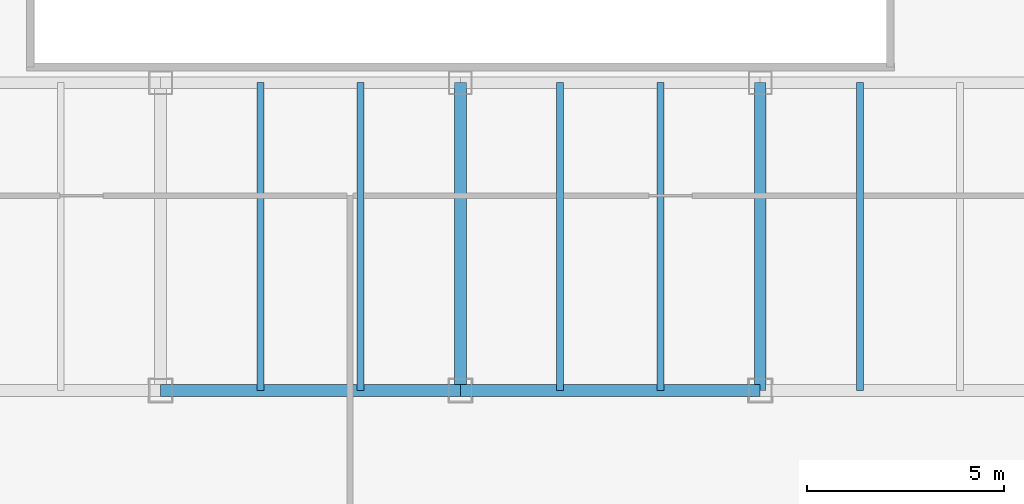
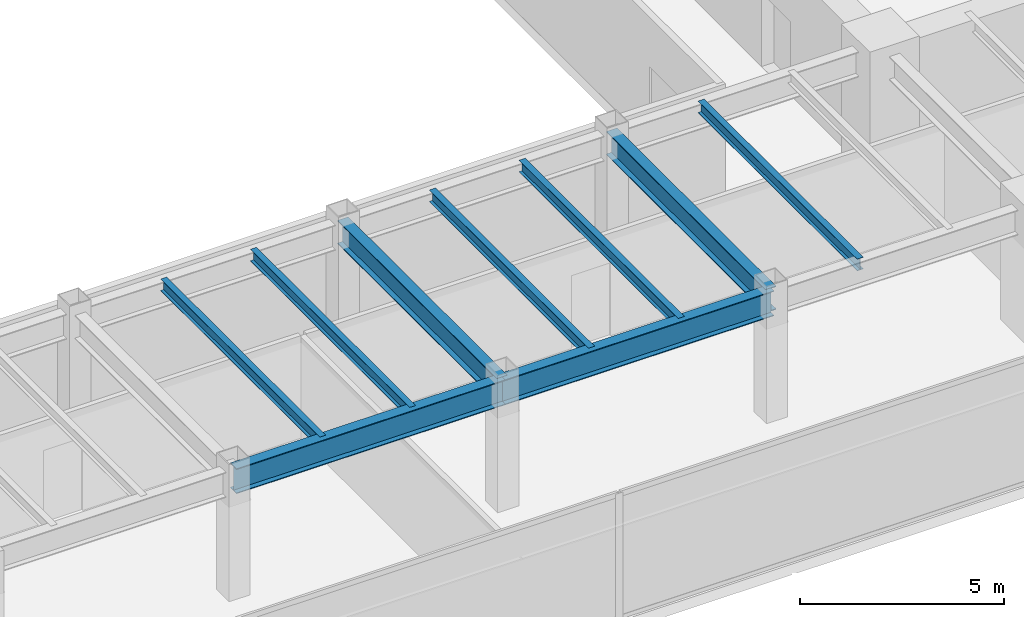
# One storey, part 9 of 32: 9 beams.
"""IFC4 building model written with IfcOpenShell, lengths in metres."""

from ifc_helpers import new_model, si_unit, direction, frame, origin, origin_2d, place, context, subcontext, project, spatial, i_section, extrude, source, transform, mapped, material, material_profile, profile_set, type_object, type_shapes, element, save


model = new_model("IFC4")

# Units and contexts
model_context = context("Model", 3, precision=1e-05, world=origin(), true_north=direction((0.0, 1.0)))
body_context = subcontext(model_context, "Body", "Model", "MODEL_VIEW")
ifc_project = project(units=[si_unit("LENGTHUNIT", "METRE"), si_unit("AREAUNIT", "SQUARE_METRE"), si_unit("VOLUMEUNIT", "CUBIC_METRE"), si_unit("PLANEANGLEUNIT", "RADIAN"), si_unit("MASSUNIT", "GRAM", prefix="KILO")], contexts=[model_context])

# Site, building, storey
site_placement = place(None, origin())
site = spatial("IfcSite", under=ifc_project, at=site_placement, CompositionType="ELEMENT")
building_placement = place(site_placement, origin())
building = spatial("IfcBuilding", under=site, at=building_placement, Name="Haelvirn Gate Laboratories", CompositionType="ELEMENT")
storey_placement = place(building_placement, frame((0.0, 0.0, 33.39990234375)))
storey = spatial("IfcBuildingStorey", under=building, at=storey_placement, Name="L08", CompositionType="ELEMENT", Elevation=33.39990234375)

# Beams
ifc_material = material(Name="Steel SM355", Category="steel")
ifc_material_profile_1 = material_profile(ifc_material, i_section(OverallWidth=0.300048828125, OverallDepth=0.699951171875, WebThickness=0.012939453125, FlangeThickness=0.02392578125, at=origin_2d()), Name="H-700x300x13x24")
ifc_profile_set_1 = profile_set([ifc_material_profile_1], Name="Steel SM355")
beam_type_1 = type_object("IfcBeamType", Name="BM-G-700", PredefinedType="BEAM", material=ifc_profile_set_1)
shared_shape_1 = source(origin(), body_context, "Body", "SweptSolid", [
    extrude(i_section(OverallWidth=0.300048828125, OverallDepth=0.699951171875, WebThickness=0.012939453125, FlangeThickness=0.02392578125, at=origin_2d()), origin(), (0.0, 0.0, 1.0), 7.800048828125),
])
type_shapes(beam_type_1, [shared_shape_1])
for number, where, z_axis, x_axis, name in (
    (1, (37.39990234375, 7.0, 3.43017578125), (0.0, 1.0, 0.0), (-1.0, 0.0, 0.0), "L08 Frame Girder X37.4 (7.0-14.8)"),
    (2, (45.0, 7.0, 3.43017578125), (0.0, 1.0, 0.0), (-1.0, 0.0, 0.0), "L08 Frame Girder X45.0 (7.0-14.8)"),
):
    element("IfcBeam", number, at=place(storey_placement, frame(where, z_axis=z_axis, x_axis=x_axis)), inside=storey, type_object=beam_type_1, Name=name, PredefinedType="BEAM", context=body_context, shape_type="MappedRepresentation", body=[
        mapped(shared_shape_1, transform((0.0, 0.0, 0.0), scale=1.0)),
    ])
ifc_material_profile_2 = material_profile(ifc_material, i_section(OverallWidth=0.300048828125, OverallDepth=0.75, WebThickness=0.013916015625, FlangeThickness=0.02392578125, at=origin_2d()), Name="H-750x300x14x24")
ifc_profile_set_2 = profile_set([ifc_material_profile_2], Name="Steel SM355")
beam_type_2 = type_object("IfcBeamType", Name="BM-G-750", PredefinedType="BEAM", material=ifc_profile_set_2)
shared_shape_2 = source(origin(), body_context, "Body", "SweptSolid", [
    extrude(i_section(OverallWidth=0.300048828125, OverallDepth=0.75, WebThickness=0.013916015625, FlangeThickness=0.02392578125, at=origin_2d()), origin(), (0.0, 0.0, 1.0), 7.60009765625),
])
beam_1_placement = place(storey_placement, frame((37.39990234375, 7.0, 3.405029296875), z_axis=(1.0, 0.0, 0.0), x_axis=(0.0, 1.0, 0.0)))
element("IfcBeam", 3, at=beam_1_placement, inside=storey, type_object=beam_type_2, Name="L08 Primary Girder Y7.0 (37.4-45.0)", PredefinedType="BEAM", context=body_context, shape_type="MappedRepresentation", body=[
    mapped(shared_shape_2, transform((0.0, 0.0, 0.0), scale=1.0)),
])
shared_shape_3 = source(origin(), body_context, "Body", "SweptSolid", [
    extrude(i_section(OverallWidth=0.300048828125, OverallDepth=0.75, WebThickness=0.013916015625, FlangeThickness=0.02392578125, at=origin_2d()), origin(), (0.0, 0.0, 1.0), 7.599853515625),
])
type_shapes(beam_type_2, [shared_shape_2, shared_shape_3])
beam_2_placement = place(storey_placement, frame((29.800048828125, 7.0, 3.405029296875), z_axis=(1.0, 0.0, 0.0), x_axis=(0.0, 1.0, 0.0)))
element("IfcBeam", 4, at=beam_2_placement, inside=storey, type_object=beam_type_2, Name="L08 Primary Girder Y7.0 (29.8-37.4)", PredefinedType="BEAM", context=body_context, shape_type="MappedRepresentation", body=[
    mapped(shared_shape_3, transform((0.0, 0.0, 0.0), scale=1.0)),
])
ifc_material_profile_3 = material_profile(ifc_material, i_section(OverallWidth=0.175048828125, OverallDepth=0.35009765625, WebThickness=0.007080078125, FlangeThickness=0.010986328125, at=origin_2d()), Name="H-350x175x7x11")
ifc_profile_set_3 = profile_set([ifc_material_profile_3], Name="Steel SM355")
beam_type_3 = type_object("IfcBeamType", Name="BM-J-350", PredefinedType="JOIST", material=ifc_profile_set_3)
shared_shape_4 = source(origin(), body_context, "Body", "SweptSolid", [
    extrude(i_section(OverallWidth=0.175048828125, OverallDepth=0.35009765625, WebThickness=0.007080078125, FlangeThickness=0.010986328125, at=origin_2d()), origin(), (0.0, 0.0, 1.0), 7.800048828125),
])
type_shapes(beam_type_3, [shared_shape_4])
for number, where, z_axis, x_axis, name in (
    (5, (32.330078125, 7.0, 3.60498046875), (0.0, 1.0, 0.0), (-1.0, 0.0, 0.0), "L08 Composite Lab Joist South X32.33"),
    (6, (34.8701171875, 7.0, 3.60498046875), (0.0, 1.0, 0.0), (-1.0, 0.0, 0.0), "L08 Composite Lab Joist South X34.87"),
    (7, (39.929931640625, 7.0, 3.60498046875), (0.0, 1.0, 0.0), (-1.0, 0.0, 0.0), "L08 Composite Lab Joist South X39.93"),
    (8, (42.469970703125, 7.0, 3.60498046875), (0.0, 1.0, 0.0), (-1.0, 0.0, 0.0), "L08 Composite Lab Joist South X42.47"),
    (9, (47.530029296875, 7.0, 3.60498046875), (0.0, 1.0, 0.0), (-1.0, 0.0, 0.0), "L08 Composite Lab Joist South X47.53"),
):
    element("IfcBeam", number, at=place(storey_placement, frame(where, z_axis=z_axis, x_axis=x_axis)), inside=storey, type_object=beam_type_3, Name=name, PredefinedType="JOIST", context=body_context, shape_type="MappedRepresentation", body=[
        mapped(shared_shape_4, transform((0.0, 0.0, 0.0), scale=1.0)),
    ])

save(model, "model.ifc")
